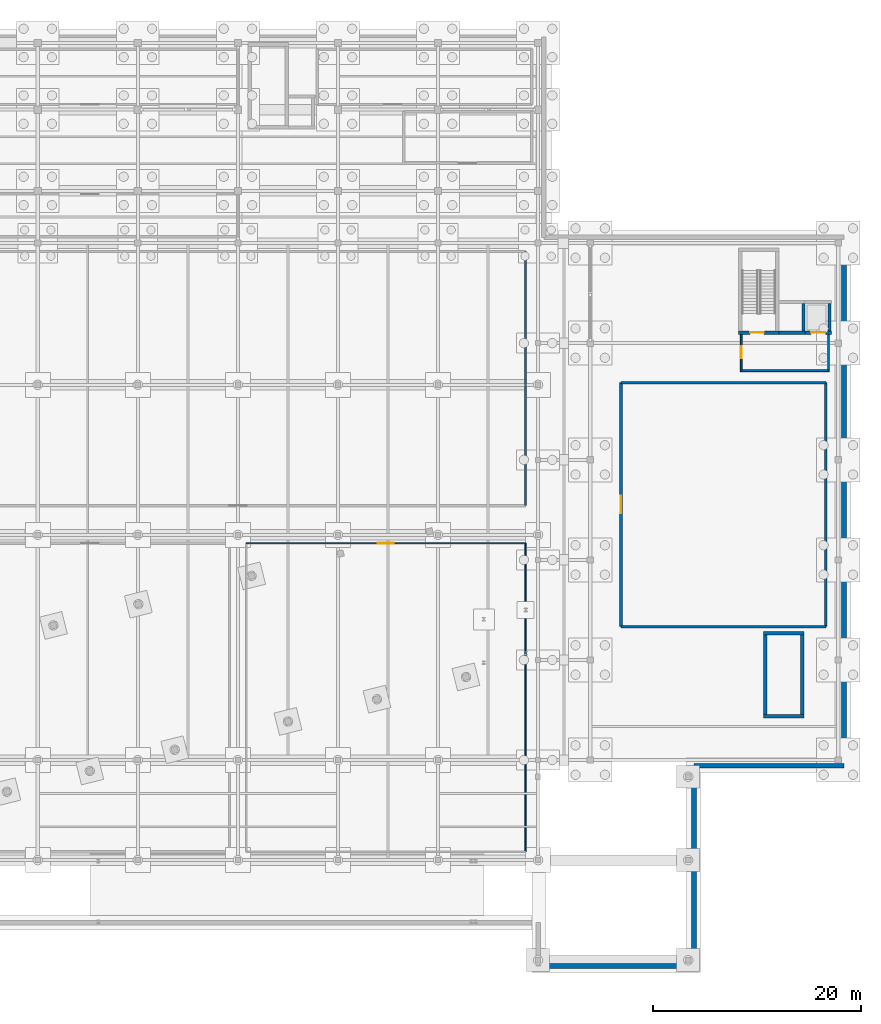
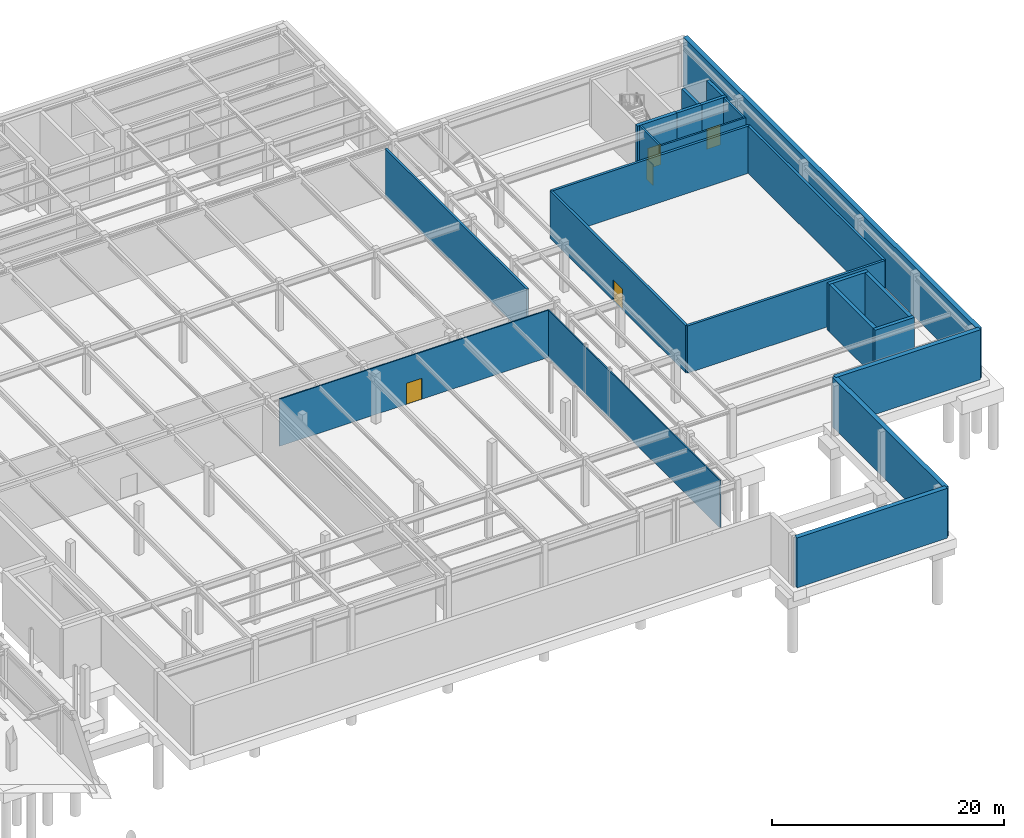
# One storey, part 25 of 33: 23 walls, 5 doors, 5 openings.
"""IFC4 building model written with IfcOpenShell, lengths in metres."""

from ifc_helpers import new_model, si_unit, direction, frame, frame_2d, origin, place, context, subcontext, project, spatial, rectangle, extrude, material, layer, layer_set, type_object, element, fill, save


model = new_model("IFC4")

# Units and contexts
model_context = context("Model", 3, precision=1e-05, world=origin(), true_north=direction((0.0, 1.0)))
body_context = subcontext(model_context, "Body", "Model", "MODEL_VIEW")
ifc_project = project(units=[si_unit("LENGTHUNIT", "METRE"), si_unit("AREAUNIT", "SQUARE_METRE"), si_unit("VOLUMEUNIT", "CUBIC_METRE"), si_unit("PLANEANGLEUNIT", "RADIAN"), si_unit("MASSUNIT", "GRAM", prefix="KILO")], contexts=[model_context])

# Site, building, storey
site_placement = place(None, origin())
site = spatial("IfcSite", under=ifc_project, at=site_placement, CompositionType="ELEMENT")
building_placement = place(site_placement, origin())
building = spatial("IfcBuilding", under=site, at=building_placement, Name="Nordkorset Police Headquarters", CompositionType="ELEMENT")
storey_placement = place(building_placement, frame((0.0, 0.0, -9.800048828125)))
storey = spatial("IfcBuildingStorey", under=building, at=storey_placement, Name="B02", CompositionType="ELEMENT", Elevation=-9.800048828125)

# Wall
ifc_material_1 = material(Name="Gypsum board", Category="gypsum")
ifc_layer_1 = layer(ifc_material_1, 0.179931640625, Name="Gypsum board")
ifc_layer_set_1 = layer_set([ifc_layer_1], Name="Gypsum board")
wall_type_1 = type_object("IfcWallType", Name="Wall_Comp_180", PredefinedType="PARTITIONING", material=ifc_layer_set_1)
wall_1_placement = place(storey_placement, frame((105.800048828125, 85.360107421875, 0.0), z_axis=(0.0, 0.0, 1.0), x_axis=(1.0, 0.0, 0.0)))
element("IfcWall", 1, at=wall_1_placement, inside=storey, type_object=wall_type_1, Name="Firefighting Lobby EI 60 Wall K5 B02 S", PredefinedType="PARTITIONING", context=body_context, shape_type="SweptSolid", body=[
    extrude(rectangle(XDim=8.550048828125, YDim=0.179931640625, at=frame_2d((4.27490234375, 0.0))), origin(), (0.0, 0.0, 1.0), 4.969970703125),
])

# Wall, opening, door
wall_2_placement = place(storey_placement, frame((105.889892578125, 85.449951171875, 0.0), z_axis=(0.0, 0.0, 1.0), x_axis=(0.0, 1.0, 0.0)))
wall_2 = element("IfcWall", 2, at=wall_2_placement, inside=storey, type_object=wall_type_1, Name="Firefighting Lobby EI 60 Wall K5 B02 W", PredefinedType="PARTITIONING", context=body_context, shape_type="SweptSolid", body=[
    extrude(rectangle(XDim=3.375, YDim=0.179931640625, at=frame_2d((1.6875, 0.0))), origin(), (0.0, 0.0, 1.0), 4.969970703125),
])
opening_1_placement = place(wall_2_placement, frame((1.112548828125, 0.0, 0.0)))
opening_1 = element("IfcOpeningElement", 3, at=opening_1_placement, cuts=wall_2, Name="Opening DR-01", PredefinedType="OPENING", context=body_context, shape_type="SweptSolid", body=[
    extrude(rectangle(XDim=1.14990234375, YDim=2.14990234375, at=frame_2d((0.574951171875, 1.074951171875))), frame((0.0, 0.10009765625, 0.0), z_axis=(0.0, -1.0, 0.0), x_axis=(1.0, 0.0, 0.0)), (0.0, 0.0, 1.0), 0.199951171875),
])
ifc_material_2 = material(Name="Steel S355J2", Category="steel")
door_type_1 = type_object("IfcDoorType", Name="Door_LobbySingle_1150x2150", OperationType="NOTDEFINED", PredefinedType="DOOR", material=ifc_material_2)
door_1_placement = place(opening_1_placement, origin())
door_1 = element("IfcDoor", 4, at=door_1_placement, inside=storey, type_object=door_type_1, Name="Firefighting Lobby Smoke Door K5 B02 W", OperationType="SINGLE_SWING_LEFT", OverallHeight=2.14990234375, OverallWidth=1.14990234375, PredefinedType="DOOR", context=body_context, shape_type="SweptSolid", body=[
    extrude(rectangle(XDim=1.14990234375, YDim=2.14990234375, at=frame_2d((0.574951171875, 1.074951171875))), frame((0.0, 0.02490234375, 0.0), z_axis=(0.0, -1.0, 0.0), x_axis=(1.0, 0.0, 0.0)), (0.0, 0.0, 1.0), 0.050048828125),
])
fill(opening_1, door_1)

# Walls
wall_3_placement = place(storey_placement, frame((114.260009765625, 85.449951171875, 0.0), z_axis=(0.0, 0.0, 1.0), x_axis=(0.0, 1.0, 0.0)))
element("IfcWall", 5, at=wall_3_placement, inside=storey, type_object=wall_type_1, Name="Firefighting Lobby EI 60 Wall K5 B02 E", PredefinedType="PARTITIONING", context=body_context, shape_type="SweptSolid", body=[
    extrude(rectangle(XDim=3.375, YDim=0.179931640625, at=frame_2d((1.6875, 0.0))), origin(), (0.0, 0.0, 1.0), 4.969970703125),
])
ifc_material_3 = material(Name="Gypsum board", Category="gypsum")
ifc_layer_2 = layer(ifc_material_3, 0.219970703125, Name="Gypsum board")
ifc_layer_set_2 = layer_set([ifc_layer_2], Name="Gypsum board")
wall_type_2 = type_object("IfcWallType", Name="Wall_Comp_220", PredefinedType="PARTITIONING", material=ifc_layer_set_2)
wall_4_placement = place(storey_placement, frame((85.199951171875, 72.39990234375, 0.0), z_axis=(0.0, 0.0, 1.0), x_axis=(0.0, 1.0, 0.0)))
element("IfcWall", 6, at=wall_4_placement, inside=storey, type_object=wall_type_2, Name="Interior Partition Wall Central Bulk Evidence Archive", PredefinedType="PARTITIONING", context=body_context, shape_type="SweptSolid", body=[
    extrude(rectangle(XDim=24.400146484375, YDim=0.219970703125, at=frame_2d((12.2001953125, 0.0))), origin(), (0.0, 0.0, 1.0), 4.969970703125),
])

# Wall, opening, door
ifc_material_4 = material(Name="Concrete C35/45", Category="concrete")
ifc_layer_3 = layer(ifc_material_4, 0.35009765625, Name="Concrete C35/45")
ifc_layer_set_3 = layer_set([ifc_layer_3], Name="Concrete C35/45")
wall_type_3 = type_object("IfcWallType", Name="Wall_CoreShear_350", PredefinedType="SHEAR", material=ifc_layer_set_3)
wall_5_placement = place(storey_placement, frame((105.625, 89.0, 0.0), z_axis=(0.0, 0.0, 1.0), x_axis=(1.0, 0.0, 0.0)))
wall_5 = element("IfcWall", 7, at=wall_5_placement, inside=storey, type_object=wall_type_3, Name="Core K5 Stair Shaft South Shear Wall B02", PredefinedType="SHEAR", context=body_context, shape_type="SweptSolid", body=[
    extrude(rectangle(XDim=3.89990234375, YDim=0.35009765625, at=frame_2d((1.949951171875, 0.0))), origin(), (0.0, 0.0, 1.0), 4.969970703125),
])
opening_2_placement = place(wall_5_placement, frame((1.125, 0.0, 0.0)))
opening_2 = element("IfcOpeningElement", 8, at=opening_2_placement, cuts=wall_5, Name="Opening DR-20", PredefinedType="OPENING", context=body_context, shape_type="SweptSolid", body=[
    extrude(rectangle(XDim=1.300048828125, YDim=2.14990234375, at=frame_2d((0.64990234375, 1.074951171875))), frame((0.0, 0.18505859375, 0.0), z_axis=(0.0, -1.0, 0.0), x_axis=(1.0, 0.0, 0.0)), (0.0, 0.0, 1.0), 0.3701171875),
])
ifc_material_5 = material(Name="Steel S355J2", Category="steel")
door_type_2 = type_object("IfcDoorType", Name="Door_Stair_1300x2150", OperationType="NOTDEFINED", PredefinedType="DOOR", material=ifc_material_5)
door_2_placement = place(opening_2_placement, frame((1.300048828125, 0.0, 0.0), z_axis=(0.0, 0.0, 1.0), x_axis=(-1.0, 0.0, 0.0)))
door_2 = element("IfcDoor", 9, at=door_2_placement, inside=storey, type_object=door_type_2, Name="Protected Stair Fire Door ST-05 B02", OperationType="SINGLE_SWING_RIGHT", OverallHeight=2.14990234375, OverallWidth=1.300048828125, PredefinedType="DOOR", context=body_context, shape_type="SweptSolid", body=[
    extrude(rectangle(XDim=1.300048828125, YDim=2.14990234375, at=frame_2d((0.64990234375, 1.074951171875))), frame((0.0, 0.02490234375, 0.0), z_axis=(0.0, -1.0, 0.0), x_axis=(1.0, 0.0, 0.0)), (0.0, 0.0, 1.0), 0.050048828125),
])
fill(opening_2, door_2)

# Walls
for number, where, z_axis, x_axis, name in (
    (10, (108.02490234375, 52.199951171875, 0.0), (0.0, 0.0, 1.0), (1.0, 0.0, 0.0), "Core K8 Stair Shaft South Shear Wall B02"),
    (11, (108.02490234375, 60.14990234375, 0.0), (0.0, 0.0, 1.0), (1.0, 0.0, 0.0), "Core K8 Stair Shaft North Shear Wall B02"),
):
    element("IfcWall", number, at=place(storey_placement, frame(where, z_axis=z_axis, x_axis=x_axis)), inside=storey, type_object=wall_type_3, Name=name, PredefinedType="SHEAR", context=body_context, shape_type="SweptSolid", body=[
        extrude(rectangle(XDim=3.900146484375, YDim=0.35009765625, at=frame_2d((1.9501953125, 0.0))), origin(), (0.0, 0.0, 1.0), 4.969970703125),
    ])
for number, where, z_axis, x_axis, name in (
    (12, (108.199951171875, 52.375, 0.0), (0.0, 0.0, 1.0), (0.0, 1.0, 0.0), "Core K8 Stair Shaft West Shear Wall B02"),
    (13, (111.75, 52.375, 0.0), (0.0, 0.0, 1.0), (0.0, 1.0, 0.0), "Core K8 Stair Shaft East Shear Wall B02"),
):
    element("IfcWall", number, at=place(storey_placement, frame(where, z_axis=z_axis, x_axis=x_axis)), inside=storey, type_object=wall_type_3, Name=name, PredefinedType="SHEAR", context=body_context, shape_type="SweptSolid", body=[
        extrude(rectangle(XDim=7.60009765625, YDim=0.35009765625, at=frame_2d((3.800048828125, 0.0))), origin(), (0.0, 0.0, 1.0), 4.969970703125),
    ])
ifc_material_6 = material(Name="Gypsum board", Category="gypsum")
ifc_layer_4 = layer(ifc_material_6, 0.1201171875, Name="Gypsum board")
ifc_layer_set_4 = layer_set([ifc_layer_4], Name="Gypsum board")
wall_type_4 = type_object("IfcWallType", Name="Wall_Part_120", PredefinedType="PARTITIONING", material=ifc_layer_set_4)
wall_6_placement = place(storey_placement, frame((85.199951171875, 39.199951171875, 0.0), z_axis=(0.0, 0.0, 1.0), x_axis=(0.0, 1.0, 0.0)))
element("IfcWall", 14, at=wall_6_placement, inside=storey, type_object=wall_type_4, Name="Interior Partition Wall Civil Emergency Logistics Reserve", PredefinedType="PARTITIONING", context=body_context, shape_type="SweptSolid", body=[
    extrude(rectangle(XDim=29.60009765625, YDim=0.1201171875, at=frame_2d((14.800048828125, 0.0))), origin(), (0.0, 0.0, 1.0), 4.969970703125),
])

# Wall, opening, door
wall_7_placement = place(storey_placement, frame((85.199951171875, 68.800048828125, 0.0), z_axis=(0.0, 0.0, 1.0), x_axis=(-1.0, 0.0, 0.0)))
wall_7 = element("IfcWall", 15, at=wall_7_placement, inside=storey, type_object=wall_type_4, Name="Interior Partition Wall Civil Emergency Logistics Reserve", PredefinedType="PARTITIONING", context=body_context, shape_type="SweptSolid", body=[
    extrude(rectangle(XDim=26.800048828125, YDim=0.1201171875, at=frame_2d((13.39990234375, 0.0))), origin(), (0.0, 0.0, 1.0), 4.969970703125),
])
opening_3_placement = place(wall_7_placement, frame((12.6298828125, 0.0, 0.0)))
opening_3 = element("IfcOpeningElement", 16, at=opening_3_placement, cuts=wall_7, Name="Opening DR-03", PredefinedType="OPENING", context=body_context, shape_type="SweptSolid", body=[
    extrude(rectangle(XDim=1.5400390625, YDim=2.199951171875, at=frame_2d((0.77001953125, 1.10009765625))), frame((0.0, 0.070068359375, 0.0), z_axis=(0.0, -1.0, 0.0), x_axis=(1.0, 0.0, 0.0)), (0.0, 0.0, 1.0), 0.14013671875),
])
ifc_material_7 = material(Name="Steel S355J2", Category="steel")
door_type_3 = type_object("IfcDoorType", Name="Door_Workshop_1540x2200", OperationType="DOUBLE_DOOR_SINGLE_SWING", PredefinedType="DOOR", material=ifc_material_7)
door_3_placement = place(opening_3_placement, frame((1.5400390625, 0.0, 0.0), z_axis=(0.0, 0.0, 1.0), x_axis=(-1.0, 0.0, 0.0)))
door_3 = element("IfcDoor", 17, at=door_3_placement, inside=storey, type_object=door_type_3, Name="Interior Door Civil Emergency Logistics Reserve", OperationType="DOUBLE_DOOR_SINGLE_SWING", OverallHeight=2.199951171875, OverallWidth=1.5400390625, PredefinedType="DOOR", context=body_context, shape_type="SweptSolid", body=[
    extrude(rectangle(XDim=1.5400390625, YDim=2.199951171875, at=frame_2d((0.77001953125, 1.10009765625))), frame((0.0, 0.02490234375, 0.0), z_axis=(0.0, -1.0, 0.0), x_axis=(1.0, 0.0, 0.0)), (0.0, 0.0, 1.0), 0.050048828125),
])
fill(opening_3, door_3)

# Walls
ifc_material_8 = material(Name="Concrete C40/50", Category="concrete")
ifc_layer_5 = layer(ifc_material_8, 0.449951171875, Name="Concrete C40/50")
ifc_layer_set_5 = layer_set([ifc_layer_5], Name="Concrete C40/50")
wall_type_5 = type_object("IfcWallType", Name="Wall_Retaining_450", PredefinedType="USERDEFINED", material=ifc_layer_set_5)
wall_8_placement = place(storey_placement, frame((86.39990234375, 28.25, 0.0), z_axis=(0.0, 0.0, 1.0), x_axis=(1.0, 0.0, 0.0)))
element("IfcWall", 18, at=wall_8_placement, inside=storey, type_object=wall_type_5, Name="Basement Perimeter Retaining Wall B02 W-S4B", ObjectType="RETAINING WALL", PredefinedType="USERDEFINED", context=body_context, shape_type="SweptSolid", body=[
    extrude(rectangle(XDim=14.9501953125, YDim=0.449951171875, at=frame_2d((7.47509765625, 0.0))), origin(), (0.0, 0.0, 1.0), 5.25),
])
wall_9_placement = place(storey_placement, frame((101.35009765625, 28.25, 0.0), z_axis=(0.0, 0.0, 1.0), x_axis=(0.0, 1.0, 0.0)))
element("IfcWall", 19, at=wall_9_placement, inside=storey, type_object=wall_type_5, Name="Basement Perimeter Retaining Wall B02 W-S4C", ObjectType="RETAINING WALL", PredefinedType="USERDEFINED", context=body_context, shape_type="SweptSolid", body=[
    extrude(rectangle(XDim=19.199951171875, YDim=0.449951171875, at=frame_2d((9.60009765625, 0.0))), origin(), (0.0, 0.0, 1.0), 5.25),
])
wall_10_placement = place(storey_placement, frame((101.35009765625, 47.449951171875, 0.0), z_axis=(0.0, 0.0, 1.0), x_axis=(1.0, 0.0, 0.0)))
element("IfcWall", 20, at=wall_10_placement, inside=storey, type_object=wall_type_5, Name="Basement Perimeter Retaining Wall B02 W-S5", ObjectType="RETAINING WALL", PredefinedType="USERDEFINED", context=body_context, shape_type="SweptSolid", body=[
    extrude(rectangle(XDim=14.39990234375, YDim=0.449951171875, at=frame_2d((7.199951171875, 0.0))), origin(), (0.0, 0.0, 1.0), 5.25),
])
wall_11_placement = place(storey_placement, frame((115.75, 47.449951171875, 0.0), z_axis=(0.0, 0.0, 1.0), x_axis=(0.0, 1.0, 0.0)))
element("IfcWall", 21, at=wall_11_placement, inside=storey, type_object=wall_type_5, Name="Basement Perimeter Retaining Wall B02 W-E1", ObjectType="RETAINING WALL", PredefinedType="USERDEFINED", context=body_context, shape_type="SweptSolid", body=[
    extrude(rectangle(XDim=50.699951171875, YDim=0.449951171875, at=frame_2d((25.35009765625, 0.0))), origin(), (0.0, 0.0, 1.0), 5.25),
])
ifc_material_9 = material(Name="Concrete C35/45", Category="concrete")
ifc_layer_6 = layer(ifc_material_9, 0.300048828125, Name="Concrete C35/45")
ifc_layer_set_6 = layer_set([ifc_layer_6], Name="Concrete C35/45")
wall_type_6 = type_object("IfcWallType", Name="Wall_ShaftShear_300", PredefinedType="SHEAR", material=ifc_layer_set_6)
wall_12_placement = place(storey_placement, frame((109.52490234375, 89.0, 0.0), z_axis=(0.0, 0.0, 1.0), x_axis=(1.0, 0.0, 0.0)))
element("IfcWall", 22, at=wall_12_placement, inside=storey, type_object=wall_type_6, Name="Lift Shaft LF-05 Front Shear Wall B02", PredefinedType="SHEAR", context=body_context, shape_type="SweptSolid", body=[
    extrude(rectangle(XDim=2.5, YDim=0.300048828125, at=frame_2d((1.25, 0.0))), origin(), (0.0, 0.0, 1.0), 4.969970703125),
])
wall_13_placement = place(storey_placement, frame((111.85009765625, 89.14990234375, 0.0), z_axis=(0.0, 0.0, 1.0), x_axis=(0.0, 1.0, 0.0)))
element("IfcWall", 23, at=wall_13_placement, inside=storey, type_object=wall_type_6, Name="Lift Shaft LF-05 East Shear Wall B02", PredefinedType="SHEAR", context=body_context, shape_type="SweptSolid", body=[
    extrude(rectangle(XDim=2.650146484375, YDim=0.300048828125, at=frame_2d((1.3251953125, 0.0))), origin(), (0.0, 0.0, 1.0), 4.969970703125),
])

# Wall, opening, door
wall_14_placement = place(storey_placement, frame((112.02490234375, 89.0, 0.0), z_axis=(0.0, 0.0, 1.0), x_axis=(1.0, 0.0, 0.0)))
wall_14 = element("IfcWall", 24, at=wall_14_placement, inside=storey, type_object=wall_type_6, Name="Lift Shaft LF-07 Front Shear Wall B02", PredefinedType="SHEAR", context=body_context, shape_type="SweptSolid", body=[
    extrude(rectangle(XDim=2.5, YDim=0.300048828125, at=frame_2d((1.25, 0.0))), origin(), (0.0, 0.0, 1.0), 4.969970703125),
])
opening_4_placement = place(wall_14_placement, frame((0.574951171875, 0.0, 0.0)))
opening_4 = element("IfcOpeningElement", 25, at=opening_4_placement, cuts=wall_14, Name="Opening LD-07", PredefinedType="OPENING", context=body_context, shape_type="SweptSolid", body=[
    extrude(rectangle(XDim=1.35009765625, YDim=2.14990234375, at=frame_2d((0.675048828125, 1.074951171875))), frame((0.0, 0.16015625, 0.0), z_axis=(0.0, -1.0, 0.0), x_axis=(1.0, 0.0, 0.0)), (0.0, 0.0, 1.0), 0.320068359375),
])
ifc_material_10 = material(Name="Steel S355J2", Category="steel")
door_type_4 = type_object("IfcDoorType", Name="Door_LiftGoods_1350x2150", OperationType="SLIDING_TO_RIGHT", PredefinedType="DOOR", material=ifc_material_10)
door_4_placement = place(opening_4_placement, frame((1.35009765625, 0.0, 0.0), z_axis=(0.0, 0.0, 1.0), x_axis=(-1.0, 0.0, 0.0)))
door_4 = element("IfcDoor", 26, at=door_4_placement, inside=storey, type_object=door_type_4, Name="Lift Landing Sliding Door LF-07 B02", OperationType="SLIDING_TO_RIGHT", OverallHeight=2.14990234375, OverallWidth=1.35009765625, PredefinedType="DOOR", context=body_context, shape_type="SweptSolid", body=[
    extrude(rectangle(XDim=1.35009765625, YDim=2.14990234375, at=frame_2d((0.675048828125, 1.074951171875))), frame((0.0, 0.02490234375, 0.0), z_axis=(0.0, -1.0, 0.0), x_axis=(1.0, 0.0, 0.0)), (0.0, 0.0, 1.0), 0.050048828125),
])
fill(opening_4, door_4)

# Walls
wall_15_placement = place(storey_placement, frame((114.35009765625, 89.14990234375, 0.0), z_axis=(0.0, 0.0, 1.0), x_axis=(0.0, 1.0, 0.0)))
element("IfcWall", 27, at=wall_15_placement, inside=storey, type_object=wall_type_6, Name="Lift Shaft LF-07 East Shear Wall B02", PredefinedType="SHEAR", context=body_context, shape_type="SweptSolid", body=[
    extrude(rectangle(XDim=2.650146484375, YDim=0.300048828125, at=frame_2d((1.3251953125, 0.0))), origin(), (0.0, 0.0, 1.0), 4.969970703125),
])
ifc_material_11 = material(Name="Concrete C35/45", Category="concrete")
ifc_layer_7 = layer(ifc_material_11, 0.25, Name="Concrete C35/45")
ifc_layer_set_7 = layer_set([ifc_layer_7], Name="Concrete C35/45")
wall_type_7 = type_object("IfcWallType", Name="Wall_VaultRC_250", PredefinedType="SOLIDWALL", material=ifc_layer_set_7)
wall_16_placement = place(storey_placement, frame((94.35009765625, 60.800048828125, 0.0), z_axis=(0.0, 0.0, 1.0), x_axis=(1.0, 0.0, 0.0)))
element("IfcWall", 28, at=wall_16_placement, inside=storey, type_object=wall_type_7, Name="Interior Partition Wall Indoor Firing Range", PredefinedType="SOLIDWALL", context=body_context, shape_type="SweptSolid", body=[
    extrude(rectangle(XDim=19.64990234375, YDim=0.25, at=frame_2d((9.824951171875, 0.0))), origin(), (0.0, 0.0, 1.0), 4.969970703125),
])
wall_17_placement = place(storey_placement, frame((114.0, 60.800048828125, 0.0), z_axis=(0.0, 0.0, 1.0), x_axis=(0.0, 1.0, 0.0)))
element("IfcWall", 29, at=wall_17_placement, inside=storey, type_object=wall_type_7, Name="Interior Partition Wall Indoor Firing Range", PredefinedType="SOLIDWALL", context=body_context, shape_type="SweptSolid", body=[
    extrude(rectangle(XDim=23.39990234375, YDim=0.25, at=frame_2d((11.699951171875, 0.0))), origin(), (0.0, 0.0, 1.0), 4.969970703125),
])
wall_18_placement = place(storey_placement, frame((114.0, 84.199951171875, 0.0), z_axis=(0.0, 0.0, 1.0), x_axis=(-1.0, 0.0, 0.0)))
element("IfcWall", 30, at=wall_18_placement, inside=storey, type_object=wall_type_7, Name="Interior Partition Wall Indoor Firing Range", PredefinedType="SOLIDWALL", context=body_context, shape_type="SweptSolid", body=[
    extrude(rectangle(XDim=19.64990234375, YDim=0.25, at=frame_2d((9.824951171875, 0.0))), origin(), (0.0, 0.0, 1.0), 4.969970703125),
])

# Wall, opening, door
wall_19_placement = place(storey_placement, frame((94.35009765625, 84.199951171875, 0.0), z_axis=(0.0, 0.0, 1.0), x_axis=(0.0, -1.0, 0.0)))
wall_19 = element("IfcWall", 31, at=wall_19_placement, inside=storey, type_object=wall_type_7, Name="Interior Partition Wall Indoor Firing Range", PredefinedType="SOLIDWALL", context=body_context, shape_type="SweptSolid", body=[
    extrude(rectangle(XDim=23.39990234375, YDim=0.25, at=frame_2d((11.699951171875, 0.0))), origin(), (0.0, 0.0, 1.0), 4.969970703125),
])
opening_5_placement = place(wall_19_placement, frame((10.860107421875, 0.0, 0.0)))
opening_5 = element("IfcOpeningElement", 32, at=opening_5_placement, cuts=wall_19, Name="Opening DR-15", PredefinedType="OPENING", context=body_context, shape_type="SweptSolid", body=[
    extrude(rectangle(XDim=1.679931640625, YDim=2.199951171875, at=frame_2d((0.83984375, 1.10009765625))), frame((0.0, 0.135009765625, 0.0), z_axis=(0.0, -1.0, 0.0), x_axis=(1.0, 0.0, 0.0)), (0.0, 0.0, 1.0), 0.27001953125),
])
ifc_material_12 = material(Name="Steel S355J2", Category="steel")
door_type_5 = type_object("IfcDoorType", Name="Door_PlantDouble_1680x2200", OperationType="DOUBLE_DOOR_SINGLE_SWING", PredefinedType="DOOR", material=ifc_material_12)
door_5_placement = place(opening_5_placement, origin())
door_5 = element("IfcDoor", 33, at=door_5_placement, inside=storey, type_object=door_type_5, Name="Interior Door Indoor Firing Range", OperationType="DOUBLE_DOOR_SINGLE_SWING", OverallHeight=2.199951171875, OverallWidth=1.679931640625, PredefinedType="DOOR", context=body_context, shape_type="SweptSolid", body=[
    extrude(rectangle(XDim=1.679931640625, YDim=2.199951171875, at=frame_2d((0.83984375, 1.10009765625))), frame((0.0, 0.02490234375, 0.0), z_axis=(0.0, -1.0, 0.0), x_axis=(1.0, 0.0, 0.0)), (0.0, 0.0, 1.0), 0.050048828125),
])
fill(opening_5, door_5)

save(model, "model.ifc")
